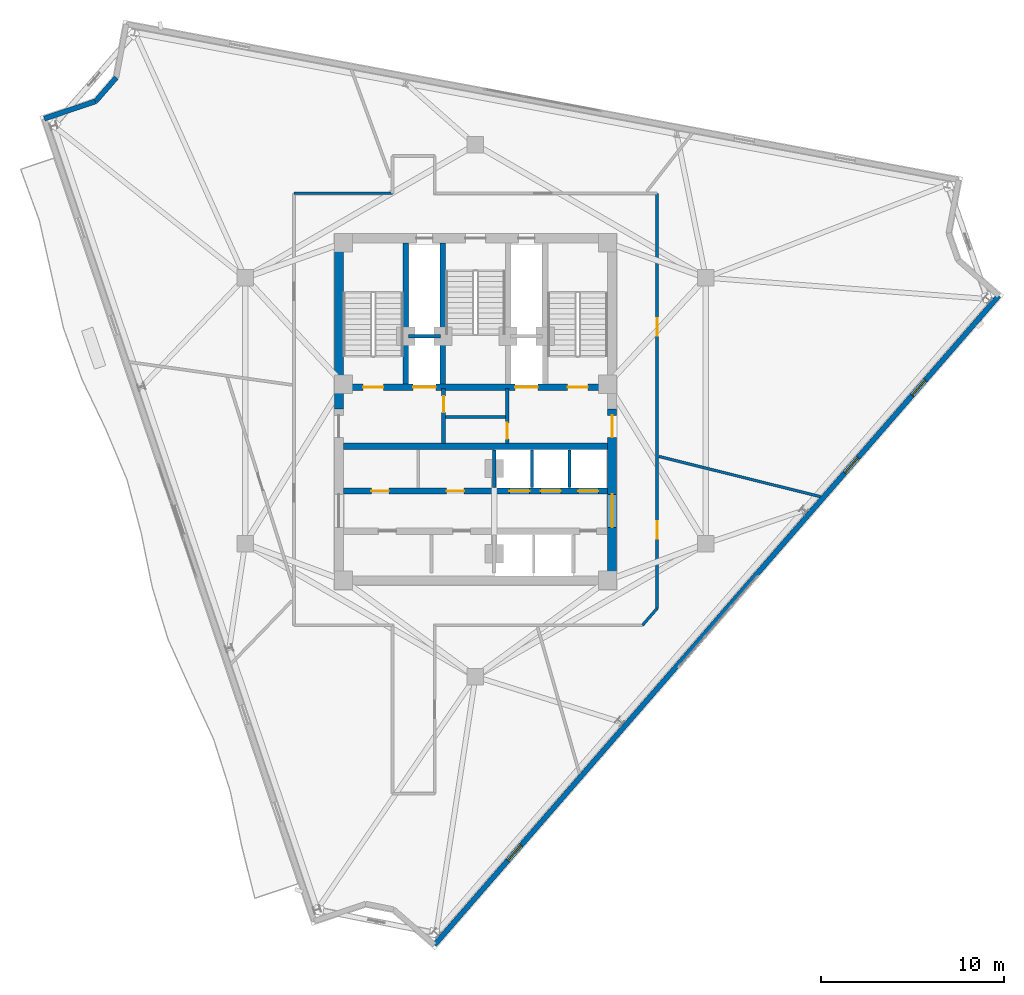
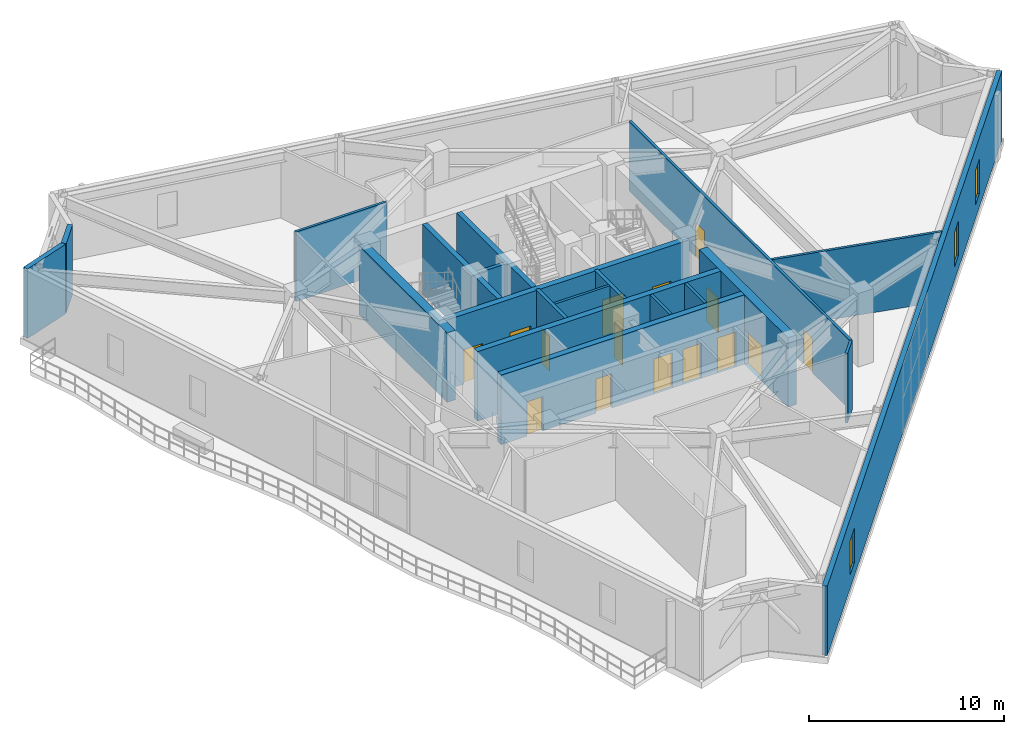
# One storey, part 11 of 15: 21 walls, 15 doors, 3 windows, 18 openings.
"""IFC4 building model written with IfcOpenShell, lengths in metres."""

import ifcopenshell
import ifcopenshell.guid

model = None  # the IFC model being written
_history = None  # IfcOwnerHistory: only IFC2X3 demands one
_inside = {}  # id of a spatial element -> (the spatial element, [elements in it])
_under = {}  # id of a project, library or spatial element -> (it, [spatial elements below it])
_declared = {}  # id of a project -> (the project, [libraries it declares])
_typed = {}  # id of a type object -> (the type object, [elements of that type])
_made_of = {}  # id of a material, layer set ... -> (it, [elements and type objects made of it])


def new_model(schema):
    """Start an empty IFC model of exactly this schema.

    Asked for "IFC4X3", IfcOpenShell would pick the latest addendum, in which some entities
    have other attributes; the version numbers below select the first issue.
    IFC2X3 requires an IfcOwnerHistory on every rooted entity: one is made here for all.
    """
    global model, _history
    if schema == "IFC4X3":
        model = ifcopenshell.file(schema_version=(4, 3, 0, 0))
    else:
        model = ifcopenshell.file(schema=schema)
    _inside.clear()
    _under.clear()
    _declared.clear()
    _typed.clear()
    _made_of.clear()
    _history = None
    if model.schema == "IFC2X3":
        org = make("IfcOrganization", Name="unknown")
        user = make(
            "IfcPersonAndOrganization",
            ThePerson=make("IfcPerson", FamilyName="unknown"),
            TheOrganization=org,
        )
        app = make(
            "IfcApplication",
            ApplicationDeveloper=org,
            Version="unknown",
            ApplicationFullName="unknown",
            ApplicationIdentifier="unknown",
        )
        _history = make(
            "IfcOwnerHistory",
            OwningUser=user,
            OwningApplication=app,
            ChangeAction="ADDED",
            CreationDate=0,
        )
    return model


def make(cls, **values):
    """One entity of the class cls with the attributes given. An attribute that is None is left unset."""
    return model.create_entity(
        cls, **{name: value for name, value in values.items() if value is not None}
    )


def rooted(cls, **values):
    """An entity with a GlobalId (a new one), such as an element, a storey or a relation."""
    return make(cls, GlobalId=ifcopenshell.guid.new(), OwnerHistory=_history, **values)


def si_unit(unit_type, name, prefix=None):
    """IfcSIUnit, for example si_unit("LENGTHUNIT", "METRE", prefix="MILLI")."""
    return make("IfcSIUnit", UnitType=unit_type, Prefix=prefix, Name=name)


def assignment(units):
    """IfcUnitAssignment: the units of a project."""
    return None if units is None else make("IfcUnitAssignment", Units=units)


def point(xyz):
    """IfcCartesianPoint."""
    return None if xyz is None else make("IfcCartesianPoint", Coordinates=xyz)


def direction(xyz):
    """IfcDirection."""
    return None if xyz is None else make("IfcDirection", DirectionRatios=xyz)


def frame(location, z_axis=None, x_axis=None):
    """IfcAxis2Placement3D, a coordinate frame: its origin and axes. An axis left out is left unset."""
    return make(
        "IfcAxis2Placement3D",
        Location=point(location),
        Axis=direction(z_axis),
        RefDirection=direction(x_axis),
    )


def frame_2d(location, x_axis=None):
    """IfcAxis2Placement2D, a coordinate frame in the plane: its origin and x axis."""
    return make(
        "IfcAxis2Placement2D", Location=point(location), RefDirection=direction(x_axis)
    )


def origin():
    """The frame at (0, 0, 0) with its axes left unset."""
    return frame((0.0, 0.0, 0.0))


def place(relative_to, where):
    """IfcLocalPlacement: puts the frame where relative to a parent placement (None: the world)."""
    return make(
        "IfcLocalPlacement", PlacementRelTo=relative_to, RelativePlacement=where
    )


def context(
    kind, dimensions, precision=None, world=None, true_north=None, identifier=None
):
    """IfcGeometricRepresentationContext, for example the 3D "Model" context."""
    return make(
        "IfcGeometricRepresentationContext",
        ContextIdentifier=identifier,
        ContextType=kind,
        CoordinateSpaceDimension=dimensions,
        Precision=precision,
        WorldCoordinateSystem=world,
        TrueNorth=true_north,
    )


def subcontext(parent, identifier, kind, view, scale=None):
    """IfcGeometricRepresentationSubContext, for example "Body" below "Model"."""
    return make(
        "IfcGeometricRepresentationSubContext",
        ContextIdentifier=identifier,
        ContextType=kind,
        ParentContext=parent,
        TargetScale=scale,
        TargetView=view,
    )


def project(units=None, contexts=None):
    """IfcProject with its units and contexts."""
    return rooted(
        "IfcProject",
        Name="project",
        RepresentationContexts=contexts,
        UnitsInContext=assignment(units),
    )


def spatial(cls, under=None, at=None, **own):
    """A site, building, storey or space (cls), placed at a placement, below another one or the project."""
    s = rooted(cls, ObjectPlacement=at, **own)
    if under is not None:
        _under.setdefault(under.id(), (under, []))[1].append(s)
    return s


def profile(cls, at=None, kind="AREA", **sizes):
    """A parametric profile (cls). Its sizes go by their IFC names, for example OverallWidth=200.0."""
    return make(cls, ProfileType=kind, Position=at, **sizes)


def rectangle(**sizes):
    """IfcRectangleProfileDef."""
    return profile("IfcRectangleProfileDef", **sizes)


def extrude(swept, where, along, depth):
    """IfcExtrudedAreaSolid: the profile swept, set in the frame where, extruded along a direction by depth."""
    return make(
        "IfcExtrudedAreaSolid",
        SweptArea=swept,
        Position=where,
        ExtrudedDirection=direction(along),
        Depth=depth,
    )


def shape(context_of_items, identifier, shape_type, items):
    """IfcShapeRepresentation: the items that make up one representation, for example the "Body"."""
    return make(
        "IfcShapeRepresentation",
        ContextOfItems=context_of_items,
        RepresentationIdentifier=identifier,
        RepresentationType=shape_type,
        Items=items,
    )


def material(Name=None, Category=None):
    """IfcMaterial."""
    return make("IfcMaterial", Name=Name, Category=Category)


def layer(
    of_material, thickness, ventilated=None, Name=None, Category=None, Priority=None
):
    """IfcMaterialLayer: one layer of a wall or slab, of a material (None: an air gap)."""
    return make(
        "IfcMaterialLayer",
        Material=of_material,
        LayerThickness=thickness,
        IsVentilated=ventilated,
        Name=Name,
        Category=Category,
        Priority=Priority,
    )


def layer_set(layers, Name=None):
    """IfcMaterialLayerSet."""
    return make("IfcMaterialLayerSet", MaterialLayers=layers, LayerSetName=Name)


def made_of(thing, what):
    """Note that an element or type object is made of a material, layer set ...; save() writes the relation."""
    if what is not None:
        _made_of.setdefault(what.id(), (what, []))[1].append(thing)
    return thing


def type_object(cls, material=None, **own):
    """A type object (cls), such as IfcWallType, which elements share."""
    return made_of(rooted(cls, **own), material)


def element(
    cls,
    number,
    at=None,
    inside=None,
    cuts=None,
    type_object=None,
    material=None,
    context=None,
    identifier="Body",
    shape_type=None,
    held_by="IfcProductDefinitionShape",
    body=None,
    shapes=None,
    **own,
):
    """One element of the class cls, such as IfcWall. Its Tag is "e" and its number.

    at: its placement. inside: the storey or other place that contains it. cuts: it is an
    opening in that element (IfcRelVoidsElement). A single representation is given by context,
    identifier, shape_type and body (its items); several are given by shapes. held_by: the class
    of the entity that holds the representations. save() writes the other relations.
    """
    e = rooted(cls, Tag="e%d" % number, ObjectPlacement=at, **own)
    if body is not None:
        shapes = [shape(context, identifier, shape_type, body)]
    if shapes is not None:
        e.Representation = make(held_by, Representations=shapes)
    if inside is not None:
        _inside.setdefault(inside.id(), (inside, []))[1].append(e)
    if cuts is not None:
        rooted(
            "IfcRelVoidsElement", RelatingBuildingElement=cuts, RelatedOpeningElement=e
        )
    if type_object is not None:
        _typed.setdefault(type_object.id(), (type_object, []))[1].append(e)
    return made_of(e, material)


def fill(opening, filler):
    """IfcRelFillsElement: the door or window that sits in an opening."""
    return rooted(
        "IfcRelFillsElement",
        RelatingOpeningElement=opening,
        RelatedBuildingElement=filler,
    )


def aggregate(whole, parts):
    """IfcRelAggregates: a whole, such as a stair, and the parts it consists of."""
    return rooted("IfcRelAggregates", RelatingObject=whole, RelatedObjects=parts)


def save(model, path):
    """Write the relations noted so far, then the file.

    IfcRelAggregates (storeys below a building ...), IfcRelContainedInSpatialStructure (elements
    in a storey), IfcRelDefinesByType, IfcRelAssociatesMaterial and IfcRelDeclares: one each for
    every whole, place, type object, material and project.
    """
    for whole, parts in _under.values():
        aggregate(whole, parts)
    for where, things in _inside.values():
        rooted(
            "IfcRelContainedInSpatialStructure",
            RelatedElements=things,
            RelatingStructure=where,
        )
    for kind, things in _typed.values():
        rooted("IfcRelDefinesByType", RelatedObjects=things, RelatingType=kind)
    for what, things in _made_of.values():
        rooted("IfcRelAssociatesMaterial", RelatedObjects=things, RelatingMaterial=what)
    for by, libraries in _declared.values():
        rooted("IfcRelDeclares", RelatingContext=by, RelatedDefinitions=libraries)
    model.write(path)


model = new_model("IFC4")

# Units and contexts
model_context = context("Model", 3, precision=1e-05, world=origin(), true_north=direction((0.0, 1.0)))
body_context = subcontext(model_context, "Body", "Model", "MODEL_VIEW")
ifc_project = project(units=[si_unit("LENGTHUNIT", "METRE"), si_unit("AREAUNIT", "SQUARE_METRE"), si_unit("VOLUMEUNIT", "CUBIC_METRE"), si_unit("PLANEANGLEUNIT", "RADIAN"), si_unit("MASSUNIT", "GRAM", prefix="KILO")], contexts=[model_context])

# Site, building, storey
site_placement = place(None, origin())
site = spatial("IfcSite", under=ifc_project, at=site_placement, CompositionType="ELEMENT")
building_placement = place(site_placement, origin())
building = spatial("IfcBuilding", under=site, at=building_placement, Name="Apsidion Concourse Tower", CompositionType="ELEMENT")
storey_placement = place(building_placement, frame((0.0, 0.0, 260.89990234375)))
storey = spatial("IfcBuildingStorey", under=building, at=storey_placement, Name="L61", CompositionType="ELEMENT", Elevation=260.89990234375)

# Wall, openings, windows
ifc_material_1 = material(Name="Precast concrete C40/50", Category="concrete")
ifc_layer_1 = layer(ifc_material_1, 0.280029296875)
ifc_layer_set_1 = layer_set([ifc_layer_1], Name="Precast concrete C40/50")
wall_type_1 = type_object("IfcWallType", Name="WL-EXT-280", PredefinedType="STANDARD", material=ifc_layer_set_1)
wall_1_placement = place(storey_placement, frame((28.531494140625, 6.267578125, 0.0), z_axis=(0.0, 0.0, 1.0), x_axis=(-0.656055748756, -0.754712431674, 0.0)))
wall_1 = element("IfcWall", 1, at=wall_1_placement, inside=storey, type_object=wall_type_1, Name="L61 Precast Stone Facade Wall 05", PredefinedType="STANDARD", context=body_context, shape_type="SweptSolid", body=[
    extrude(rectangle(XDim=46.89697265625, YDim=0.280029296875, at=frame_2d((23.448486328125, 0.0))), origin(), (0.0, 0.0, 1.0), 4.35009765625),
])
opening_1_placement = place(wall_1_placement, frame((6.0986328125, 0.0, 0.85009765625)))
opening_1 = element("IfcOpeningElement", 2, at=opening_1_placement, cuts=wall_1, Name="Opening WN-07", PredefinedType="OPENING", context=body_context, shape_type="SweptSolid", body=[
    extrude(rectangle(XDim=1.10009765625, YDim=2.14990234375, at=frame_2d((0.550048828125, 1.074951171875))), frame((0.0, 0.14990234375, 0.0), z_axis=(0.0, -1.0, 0.0), x_axis=(1.0, 0.0, 0.0)), (0.0, 0.0, 1.0), 0.300048828125),
])
opening_2_placement = place(wall_1_placement, frame((11.698486328125, 0.0, 0.85009765625)))
opening_2 = element("IfcOpeningElement", 3, at=opening_2_placement, cuts=wall_1, Name="Opening WN-07", PredefinedType="OPENING", context=body_context, shape_type="SweptSolid", body=[
    extrude(rectangle(XDim=1.10009765625, YDim=2.14990234375, at=frame_2d((0.550048828125, 1.074951171875))), frame((0.0, 0.14990234375, 0.0), z_axis=(0.0, -1.0, 0.0), x_axis=(1.0, 0.0, 0.0)), (0.0, 0.0, 1.0), 0.300048828125),
])
opening_3_placement = place(wall_1_placement, frame((39.698486328125, 0.0, 0.85009765625)))
opening_3 = element("IfcOpeningElement", 4, at=opening_3_placement, cuts=wall_1, Name="Opening WN-07", PredefinedType="OPENING", context=body_context, shape_type="SweptSolid", body=[
    extrude(rectangle(XDim=1.10009765625, YDim=2.14990234375, at=frame_2d((0.550048828125, 1.074951171875))), frame((0.0, 0.14990234375, 0.0), z_axis=(0.0, -1.0, 0.0), x_axis=(1.0, 0.0, 0.0)), (0.0, 0.0, 1.0), 0.300048828125),
])
ifc_material_2 = material(Name="Insulated laminated low-E glass", Category="glass")
window_type = type_object("IfcWindowType", Name="WN-OFF-1123", PartitioningType="SINGLE_PANEL", PredefinedType="WINDOW", material=ifc_material_2)
window_1_placement = place(opening_1_placement, origin())
window_1 = element("IfcWindow", 5, at=window_1_placement, inside=storey, type_object=window_type, Name="L61 Punched Facade Window 5-01", OverallHeight=2.14990234375, OverallWidth=1.10009765625, PartitioningType="SINGLE_PANEL", PredefinedType="WINDOW", context=body_context, shape_type="SweptSolid", body=[
    extrude(rectangle(XDim=1.10009765625, YDim=2.14990234375, at=frame_2d((0.550048828125, 1.074951171875))), frame((0.0, 0.030029296875, 0.0), z_axis=(0.0, -1.0, 0.0), x_axis=(1.0, 0.0, 0.0)), (0.0, 0.0, 1.0), 0.06005859375),
])
fill(opening_1, window_1)
window_2_placement = place(opening_2_placement, origin())
window_2 = element("IfcWindow", 6, at=window_2_placement, inside=storey, type_object=window_type, Name="L61 Punched Facade Window 5-02", OverallHeight=2.14990234375, OverallWidth=1.10009765625, PartitioningType="SINGLE_PANEL", PredefinedType="WINDOW", context=body_context, shape_type="SweptSolid", body=[
    extrude(rectangle(XDim=1.10009765625, YDim=2.14990234375, at=frame_2d((0.550048828125, 1.074951171875))), frame((0.0, 0.030029296875, 0.0), z_axis=(0.0, -1.0, 0.0), x_axis=(1.0, 0.0, 0.0)), (0.0, 0.0, 1.0), 0.06005859375),
])
fill(opening_2, window_2)
window_3_placement = place(opening_3_placement, origin())
window_3 = element("IfcWindow", 7, at=window_3_placement, inside=storey, type_object=window_type, Name="L61 Punched Facade Window 5-07", OverallHeight=2.14990234375, OverallWidth=1.10009765625, PartitioningType="SINGLE_PANEL", PredefinedType="WINDOW", context=body_context, shape_type="SweptSolid", body=[
    extrude(rectangle(XDim=1.10009765625, YDim=2.14990234375, at=frame_2d((0.550048828125, 1.074951171875))), frame((0.0, 0.030029296875, 0.0), z_axis=(0.0, -1.0, 0.0), x_axis=(1.0, 0.0, 0.0)), (0.0, 0.0, 1.0), 0.06005859375),
])
fill(opening_3, window_3)

# Walls
wall_2_placement = place(storey_placement, frame((-23.511474609375, 15.92431640625, 0.0), z_axis=(0.0, 0.0, 1.0), x_axis=(0.9478040536, 0.31885337693, 0.0)))
element("IfcWall", 8, at=wall_2_placement, inside=storey, type_object=wall_type_1, Name="L61 Precast Stone Facade Wall 10", PredefinedType="STANDARD", context=body_context, shape_type="SweptSolid", body=[
    extrude(rectangle(XDim=2.95556640625, YDim=0.280029296875, at=frame_2d((1.477783203125, 0.0))), origin(), (0.0, 0.0, 1.0), 4.35009765625),
])
wall_3_placement = place(storey_placement, frame((-20.710205078125, 16.86669921875, 0.0), z_axis=(0.0, 0.0, 1.0), x_axis=(0.656062411204, 0.754706640096, 0.0)))
element("IfcWall", 9, at=wall_3_placement, inside=storey, type_object=wall_type_1, Name="L61 Precast Stone Facade Wall 11", PredefinedType="STANDARD", context=body_context, shape_type="SweptSolid", body=[
    extrude(rectangle(XDim=1.715087890625, YDim=0.280029296875, at=frame_2d((0.857421875, 0.0))), origin(), (0.0, 0.0, 1.0), 4.35009765625),
])
ifc_material_3 = material(Name="Gypsum plasterboard partition")
ifc_layer_2 = layer(ifc_material_3, 0.14990234375)
ifc_layer_set_2 = layer_set([ifc_layer_2], Name="Gypsum plasterboard partition")
wall_type_2 = type_object("IfcWallType", Name="WL-INT-PAR-150", PredefinedType="PARTITIONING", material=ifc_layer_set_2)
for number, where, z_axis, x_axis, name in (
    (10, (3.074951171875, -4.179931640625, 0.0), (0.0, 0.0, 1.0), (0.0, 1.0, 0.0), "L61 Interior Partition WL-L61-B3DIV-1"),
    (11, (5.125, -4.179931640625, 0.0), (0.0, 0.0, 1.0), (0.0, 1.0, 0.0), "L61 Interior Partition WL-L61-B3DIV-2"),
):
    element("IfcWall", number, at=place(storey_placement, frame(where, z_axis=z_axis, x_axis=x_axis)), inside=storey, type_object=wall_type_2, Name=name, PredefinedType="PARTITIONING", context=body_context, shape_type="SweptSolid", body=[
        extrude(rectangle(XDim=2.030029296875, YDim=0.14990234375, at=frame_2d((1.01513671875, 0.0))), origin(), (0.0, 0.0, 1.0), 4.35009765625),
    ])
wall_4_placement = place(storey_placement, frame((-1.6298828125, -0.35009765625, 0.0), z_axis=(0.0, 0.0, 1.0), x_axis=(1.0, 0.0, 0.0)))
element("IfcWall", 12, at=wall_4_placement, inside=storey, type_object=wall_type_2, Name="L61 Interior Partition WL-L61-K2H", PredefinedType="PARTITIONING", context=body_context, shape_type="SweptSolid", body=[
    extrude(rectangle(XDim=3.259765625, YDim=0.14990234375, at=frame_2d((1.6298828125, 0.0))), origin(), (0.0, 0.0, 1.0), 4.35009765625),
])
wall_5_placement = place(storey_placement, frame((-9.89990234375, 11.85009765625, 0.0), z_axis=(0.0, 0.0, 1.0), x_axis=(1.0, 0.0, 0.0)))
element("IfcWall", 13, at=wall_5_placement, inside=storey, type_object=wall_type_2, Name="L61 Interior Partition WL-L61-CORR-03", PredefinedType="PARTITIONING", context=body_context, shape_type="SweptSolid", body=[
    extrude(rectangle(XDim=5.369873046875, YDim=0.14990234375, at=frame_2d((2.68505859375, 0.0))), origin(), (0.0, 0.0, 1.0), 4.35009765625),
])

# Wall, openings, doors
wall_6_placement = place(storey_placement, frame((9.89990234375, 11.85009765625, 0.0), z_axis=(0.0, 0.0, 1.0), x_axis=(0.0, -1.0, 0.0)))
wall_6 = element("IfcWall", 14, at=wall_6_placement, inside=storey, type_object=wall_type_2, Name="L61 Interior Partition WL-L61-CORR-08", PredefinedType="PARTITIONING", context=body_context, shape_type="SweptSolid", body=[
    extrude(rectangle(XDim=22.633544921875, YDim=0.14990234375, at=frame_2d((11.31689453125, 0.0))), origin(), (0.0, 0.0, 1.0), 4.35009765625),
])
opening_4_placement = place(wall_6_placement, frame((17.88525390625, 0.0, 0.0)))
opening_4 = element("IfcOpeningElement", 15, at=opening_4_placement, cuts=wall_6, Name="Opening D-01L", PredefinedType="OPENING", context=body_context, shape_type="SweptSolid", body=[
    extrude(rectangle(XDim=0.949951171875, YDim=2.14990234375, at=frame_2d((0.47509765625, 1.074951171875))), frame((0.0, 0.0849609375, 0.0), z_axis=(0.0, -1.0, 0.0), x_axis=(1.0, 0.0, 0.0)), (0.0, 0.0, 1.0), 0.169921875),
])
opening_5_placement = place(wall_6_placement, frame((6.81982421875, 0.0, 0.0)))
opening_5 = element("IfcOpeningElement", 16, at=opening_5_placement, cuts=wall_6, Name="Opening D-01R", PredefinedType="OPENING", context=body_context, shape_type="SweptSolid", body=[
    extrude(rectangle(XDim=0.949951171875, YDim=2.14990234375, at=frame_2d((0.47509765625, 1.074951171875))), frame((0.0, 0.0849609375, 0.0), z_axis=(0.0, -1.0, 0.0), x_axis=(1.0, 0.0, 0.0)), (0.0, 0.0, 1.0), 0.169921875),
])
ifc_material_4 = material(Name="Brushed stainless steel 316", Category="steel")
door_type_1 = type_object("IfcDoorType", Name="DR-INT-D01L", OperationType="SINGLE_SWING_LEFT", PredefinedType="DOOR", material=ifc_material_4)
door_1_placement = place(opening_4_placement, origin())
door_1 = element("IfcDoor", 17, at=door_1_placement, inside=storey, type_object=door_type_1, Name="L61 Corridor Entry Door 03", OperationType="SINGLE_SWING_LEFT", OverallHeight=2.14990234375, OverallWidth=0.949951171875, PredefinedType="DOOR", context=body_context, shape_type="SweptSolid", body=[
    extrude(rectangle(XDim=0.949951171875, YDim=2.14990234375, at=frame_2d((0.47509765625, 1.074951171875))), frame((0.0, 0.02490234375, 0.0), z_axis=(0.0, -1.0, 0.0), x_axis=(1.0, 0.0, 0.0)), (0.0, 0.0, 1.0), 0.050048828125),
])
fill(opening_4, door_1)
door_type_2 = type_object("IfcDoorType", Name="DR-INT-D01R", OperationType="SINGLE_SWING_RIGHT", PredefinedType="DOOR", material=ifc_material_4)
door_2_placement = place(opening_5_placement, origin())
door_2 = element("IfcDoor", 18, at=door_2_placement, inside=storey, type_object=door_type_2, Name="L61 Corridor Entry Door 04", OperationType="SINGLE_SWING_RIGHT", OverallHeight=2.14990234375, OverallWidth=0.949951171875, PredefinedType="DOOR", context=body_context, shape_type="SweptSolid", body=[
    extrude(rectangle(XDim=0.949951171875, YDim=2.14990234375, at=frame_2d((0.47509765625, 1.074951171875))), frame((0.0, 0.02490234375, 0.0), z_axis=(0.0, -1.0, 0.0), x_axis=(1.0, 0.0, 0.0)), (0.0, 0.0, 1.0), 0.050048828125),
])
fill(opening_5, door_2)

# Walls
wall_7_placement = place(storey_placement, frame((9.89990234375, -10.783447265625, 0.0), z_axis=(0.0, 0.0, 1.0), x_axis=(-0.656024397367, -0.754739683639, 0.0)))
element("IfcWall", 19, at=wall_7_placement, inside=storey, type_object=wall_type_2, Name="L61 Interior Partition WL-L61-CORR-09", PredefinedType="PARTITIONING", context=body_context, shape_type="SweptSolid", body=[
    extrude(rectangle(XDim=1.21435546875, YDim=0.14990234375, at=frame_2d((0.607177734375, 0.0))), origin(), (0.0, 0.0, 1.0), 4.35009765625),
])
wall_8_placement = place(storey_placement, frame((10.0048828125, -2.494384765625, 0.0), z_axis=(0.0, 0.0, 1.0), x_axis=(0.970294360483, -0.24192737343, 0.0)))
element("IfcWall", 20, at=wall_8_placement, inside=storey, type_object=wall_type_2, Name="L61 Interior Partition WL-L61-RAD-06-1", PredefinedType="PARTITIONING", context=body_context, shape_type="SweptSolid", body=[
    extrude(rectangle(XDim=9.067138671875, YDim=0.14990234375, at=frame_2d((4.53369140625, 0.0))), origin(), (0.0, 0.0, 1.0), 4.35009765625),
])
ifc_layer_3 = layer(ifc_material_3, 0.179931640625)
ifc_layer_set_3 = layer_set([ifc_layer_3], Name="Gypsum plasterboard partition")
wall_type_3 = type_object("IfcWallType", Name="WL-INT-PAR-180", PredefinedType="PARTITIONING", material=ifc_layer_set_3)
wall_9_placement = place(storey_placement, frame((1.02490234375, -4.179931640625, 0.0), z_axis=(0.0, 0.0, 1.0), x_axis=(0.0, 1.0, 0.0)))
element("IfcWall", 21, at=wall_9_placement, inside=storey, type_object=wall_type_3, Name="L61 Interior Partition WL-L61-B1END", PredefinedType="PARTITIONING", context=body_context, shape_type="SweptSolid", body=[
    extrude(rectangle(XDim=2.030029296875, YDim=0.179931640625, at=frame_2d((1.01513671875, 0.0))), origin(), (0.0, 0.0, 1.0), 3.398193359375),
])
ifc_layer_4 = layer(ifc_material_3, 0.199951171875)
ifc_layer_set_4 = layer_set([ifc_layer_4], Name="Gypsum plasterboard partition")
wall_type_4 = type_object("IfcWallType", Name="WL-INT-PAR-200", PredefinedType="PARTITIONING", material=ifc_layer_set_4)
wall_10_placement = place(storey_placement, frame((-3.64990234375, 4.050048828125, 0.0), z_axis=(0.0, 0.0, 1.0), x_axis=(1.0, 0.0, 0.0)))
element("IfcWall", 22, at=wall_10_placement, inside=storey, type_object=wall_type_4, Name="L61 Interior Partition WL-L61-FF1-N", PredefinedType="PARTITIONING", context=body_context, shape_type="SweptSolid", body=[
    extrude(rectangle(XDim=1.72998046875, YDim=0.199951171875, at=frame_2d((0.864990234375, 0.0))), origin(), (0.0, 0.0, 1.0), 4.35009765625),
])

# Wall, opening, door
wall_11_placement = place(storey_placement, frame((-1.739990234375, -1.780029296875, 0.0), z_axis=(0.0, 0.0, 1.0), x_axis=(0.0, 1.0, 0.0)))
wall_11 = element("IfcWall", 23, at=wall_11_placement, inside=storey, type_object=wall_type_4, Name="L61 Interior Partition WL-L61-FF1-E", PredefinedType="PARTITIONING", context=body_context, shape_type="SweptSolid", body=[
    extrude(rectangle(XDim=2.97998046875, YDim=0.199951171875, at=frame_2d((1.489990234375, 0.0))), origin(), (0.0, 0.0, 1.0), 4.35009765625),
])
opening_6_placement = place(wall_11_placement, frame((1.68994140625, 0.0, 0.0)))
opening_6 = element("IfcOpeningElement", 24, at=opening_6_placement, cuts=wall_11, Name="Opening D-05L", PredefinedType="OPENING", context=body_context, shape_type="SweptSolid", body=[
    extrude(rectangle(XDim=0.8798828125, YDim=2.14990234375, at=frame_2d((0.43994140625, 1.074951171875))), frame((0.0, 0.10986328125, 0.0), z_axis=(0.0, -1.0, 0.0), x_axis=(1.0, 0.0, 0.0)), (0.0, 0.0, 1.0), 0.219970703125),
])
door_type_3 = type_object("IfcDoorType", Name="DR-INT-D05L", OperationType="SINGLE_SWING_LEFT", PredefinedType="DOOR", material=ifc_material_4)
door_3_placement = place(opening_6_placement, origin())
door_3 = element("IfcDoor", 25, at=door_3_placement, inside=storey, type_object=door_type_3, Name="L61 Core Staff WC Door", OperationType="SINGLE_SWING_LEFT", OverallHeight=2.14990234375, OverallWidth=0.8798828125, PredefinedType="DOOR", context=body_context, shape_type="SweptSolid", body=[
    extrude(rectangle(XDim=0.8798828125, YDim=2.14990234375, at=frame_2d((0.43994140625, 1.074951171875))), frame((0.0, 0.02490234375, 0.0), z_axis=(0.0, -1.0, 0.0), x_axis=(1.0, 0.0, 0.0)), (0.0, 0.0, 1.0), 0.050048828125),
])
fill(opening_6, door_3)

wall_12_placement = place(storey_placement, frame((1.739990234375, -1.780029296875, 0.0), z_axis=(0.0, 0.0, 1.0), x_axis=(0.0, 1.0, 0.0)))
wall_12 = element("IfcWall", 26, at=wall_12_placement, inside=storey, type_object=wall_type_4, Name="L61 Interior Partition WL-L61-FF2-W", PredefinedType="PARTITIONING", context=body_context, shape_type="SweptSolid", body=[
    extrude(rectangle(XDim=2.97998046875, YDim=0.199951171875, at=frame_2d((1.489990234375, 0.0))), origin(), (0.0, 0.0, 1.0), 4.35009765625),
])
opening_7_placement = place(wall_12_placement, frame((0.239990234375, 0.0, 0.0)))
opening_7 = element("IfcOpeningElement", 27, at=opening_7_placement, cuts=wall_12, Name="Opening D-05R", PredefinedType="OPENING", context=body_context, shape_type="SweptSolid", body=[
    extrude(rectangle(XDim=0.8798828125, YDim=2.14990234375, at=frame_2d((0.43994140625, 1.074951171875))), frame((0.0, 0.10986328125, 0.0), z_axis=(0.0, -1.0, 0.0), x_axis=(1.0, 0.0, 0.0)), (0.0, 0.0, 1.0), 0.219970703125),
])
door_type_4 = type_object("IfcDoorType", Name="DR-INT-D05R", OperationType="SINGLE_SWING_RIGHT", PredefinedType="DOOR", material=ifc_material_4)
door_4_placement = place(opening_7_placement, origin())
door_4 = element("IfcDoor", 28, at=door_4_placement, inside=storey, type_object=door_type_4, Name="L61 Core Supply Store Door", OperationType="SINGLE_SWING_RIGHT", OverallHeight=2.14990234375, OverallWidth=0.8798828125, PredefinedType="DOOR", context=body_context, shape_type="SweptSolid", body=[
    extrude(rectangle(XDim=0.8798828125, YDim=2.14990234375, at=frame_2d((0.43994140625, 1.074951171875))), frame((0.0, 0.02490234375, 0.0), z_axis=(0.0, -1.0, 0.0), x_axis=(1.0, 0.0, 0.0)), (0.0, 0.0, 1.0), 0.050048828125),
])
fill(opening_7, door_4)

# Walls
ifc_material_5 = material(Name="Concrete C50/60", Category="concrete")
ifc_layer_5 = layer(ifc_material_5, 0.300048828125)
ifc_layer_set_5 = layer_set([ifc_layer_5], Name="Concrete C50/60")
wall_type_5 = type_object("IfcWallType", Name="WL-SH-300", PredefinedType="SHEAR", material=ifc_layer_set_5)
for number, where, z_axis, x_axis, name in (
    (29, (-3.800048828125, 1.449951171875, 0.0), (0.0, 0.0, 1.0), (0.0, 1.0, 0.0), "L61 Central Core Shear Wall V1"),
    (30, (-1.77490234375, 1.449951171875, 0.0), (0.0, 0.0, 1.0), (0.0, 1.0, 0.0), "L61 Central Core Shear Wall V2"),
):
    element("IfcWall", number, at=place(storey_placement, frame(where, z_axis=z_axis, x_axis=x_axis)), inside=storey, type_object=wall_type_5, Name=name, PredefinedType="SHEAR", context=body_context, shape_type="SweptSolid", body=[
        extrude(rectangle(XDim=7.699951171875, YDim=0.300048828125, at=frame_2d((3.85009765625, 0.0))), origin(), (0.0, 0.0, 1.0), 4.35009765625),
    ])

# Wall, openings, doors
ifc_layer_6 = layer(ifc_material_5, 0.35009765625)
ifc_layer_set_6 = layer_set([ifc_layer_6], Name="Concrete C50/60")
wall_type_6 = type_object("IfcWallType", Name="WL-SH-350", PredefinedType="SHEAR", material=ifc_layer_set_6)
wall_13_placement = place(storey_placement, frame((-7.199951171875, 1.27490234375, 0.0), z_axis=(0.0, 0.0, 1.0), x_axis=(1.0, 0.0, 0.0)))
wall_13 = element("IfcWall", 31, at=wall_13_placement, inside=storey, type_object=wall_type_6, Name="L61 Central Core Shear Wall M1", PredefinedType="SHEAR", context=body_context, shape_type="SweptSolid", body=[
    extrude(rectangle(XDim=14.39990234375, YDim=0.35009765625, at=frame_2d((7.199951171875, 0.0))), origin(), (0.0, 0.0, 1.0), 4.35009765625),
])
opening_8_placement = place(wall_13_placement, frame((3.794921875, 0.0, 0.0)))
opening_8 = element("IfcOpeningElement", 32, at=opening_8_placement, cuts=wall_13, Name="Opening LD-FF", PredefinedType="OPENING", context=body_context, shape_type="SweptSolid", body=[
    extrude(rectangle(XDim=1.25, YDim=2.25, at=frame_2d((0.625, 1.125))), frame((0.0, 0.18505859375, 0.0), z_axis=(0.0, -1.0, 0.0), x_axis=(1.0, 0.0, 0.0)), (0.0, 0.0, 1.0), 0.3701171875),
])
opening_9_placement = place(wall_13_placement, frame((9.35498046875, 0.0, 0.0)))
opening_9 = element("IfcOpeningElement", 33, at=opening_9_placement, cuts=wall_13, Name="Opening LD-FF", PredefinedType="OPENING", context=body_context, shape_type="SweptSolid", body=[
    extrude(rectangle(XDim=1.25, YDim=2.25, at=frame_2d((0.625, 1.125))), frame((0.0, 0.18505859375, 0.0), z_axis=(0.0, -1.0, 0.0), x_axis=(1.0, 0.0, 0.0)), (0.0, 0.0, 1.0), 0.3701171875),
])
opening_10_placement = place(wall_13_placement, frame((1.074951171875, 0.0, 0.0)))
opening_10 = element("IfcOpeningElement", 34, at=opening_10_placement, cuts=wall_13, Name="Opening D-STL", PredefinedType="OPENING", context=body_context, shape_type="SweptSolid", body=[
    extrude(rectangle(XDim=1.10009765625, YDim=2.14990234375, at=frame_2d((0.550048828125, 1.074951171875))), frame((0.0, 0.18505859375, 0.0), z_axis=(0.0, -1.0, 0.0), x_axis=(1.0, 0.0, 0.0)), (0.0, 0.0, 1.0), 0.3701171875),
])
opening_11_placement = place(wall_13_placement, frame((12.22509765625, 0.0, 0.0)))
opening_11 = element("IfcOpeningElement", 35, at=opening_11_placement, cuts=wall_13, Name="Opening D-STR", PredefinedType="OPENING", context=body_context, shape_type="SweptSolid", body=[
    extrude(rectangle(XDim=1.10009765625, YDim=2.14990234375, at=frame_2d((0.550048828125, 1.074951171875))), frame((0.0, 0.18505859375, 0.0), z_axis=(0.0, -1.0, 0.0), x_axis=(1.0, 0.0, 0.0)), (0.0, 0.0, 1.0), 0.3701171875),
])
door_type_5 = type_object("IfcDoorType", Name="DR-INT-ST1L", OperationType="SINGLE_SWING_LEFT", PredefinedType="DOOR", material=ifc_material_4)
door_5_placement = place(opening_10_placement, origin())
door_5 = element("IfcDoor", 36, at=door_5_placement, inside=storey, type_object=door_type_5, Name="L61 Core Exit Stair ST1 Door", OperationType="SINGLE_SWING_LEFT", OverallHeight=2.14990234375, OverallWidth=1.10009765625, PredefinedType="DOOR", context=body_context, shape_type="SweptSolid", body=[
    extrude(rectangle(XDim=1.10009765625, YDim=2.14990234375, at=frame_2d((0.550048828125, 1.074951171875))), frame((0.0, 0.02490234375, 0.0), z_axis=(0.0, -1.0, 0.0), x_axis=(1.0, 0.0, 0.0)), (0.0, 0.0, 1.0), 0.050048828125),
])
fill(opening_10, door_5)
door_type_6 = type_object("IfcDoorType", Name="DR-INT-ST1R", OperationType="SINGLE_SWING_RIGHT", PredefinedType="DOOR", material=ifc_material_4)
door_6_placement = place(opening_11_placement, origin())
door_6 = element("IfcDoor", 37, at=door_6_placement, inside=storey, type_object=door_type_6, Name="L61 Core Exit Stair ST2 Door", OperationType="SINGLE_SWING_RIGHT", OverallHeight=2.14990234375, OverallWidth=1.10009765625, PredefinedType="DOOR", context=body_context, shape_type="SweptSolid", body=[
    extrude(rectangle(XDim=1.10009765625, YDim=2.14990234375, at=frame_2d((0.550048828125, 1.074951171875))), frame((0.0, 0.02490234375, 0.0), z_axis=(0.0, -1.0, 0.0), x_axis=(1.0, 0.0, 0.0)), (0.0, 0.0, 1.0), 0.050048828125),
])
fill(opening_11, door_6)
door_type_7 = type_object("IfcDoorType", Name="DR-LD-FSAE", OperationType="DOUBLE_DOOR_SLIDING", PredefinedType="DOOR", material=ifc_material_4)
door_7_placement = place(opening_8_placement, origin())
door_7 = element("IfcDoor", 38, at=door_7_placement, inside=storey, type_object=door_type_7, Name="L61 Lift Landing Door FF1", OperationType="DOUBLE_DOOR_SLIDING", OverallHeight=2.25, OverallWidth=1.25, PredefinedType="DOOR", context=body_context, shape_type="SweptSolid", body=[
    extrude(rectangle(XDim=1.25, YDim=2.25, at=frame_2d((0.625, 1.125))), frame((0.0, 0.02490234375, 0.0), z_axis=(0.0, -1.0, 0.0), x_axis=(1.0, 0.0, 0.0)), (0.0, 0.0, 1.0), 0.050048828125),
])
fill(opening_8, door_7)
door_8_placement = place(opening_9_placement, origin())
door_8 = element("IfcDoor", 39, at=door_8_placement, inside=storey, type_object=door_type_7, Name="L61 Lift Landing Door FF2", OperationType="DOUBLE_DOOR_SLIDING", OverallHeight=2.25, OverallWidth=1.25, PredefinedType="DOOR", context=body_context, shape_type="SweptSolid", body=[
    extrude(rectangle(XDim=1.25, YDim=2.25, at=frame_2d((0.625, 1.125))), frame((0.0, 0.02490234375, 0.0), z_axis=(0.0, -1.0, 0.0), x_axis=(1.0, 0.0, 0.0)), (0.0, 0.0, 1.0), 0.050048828125),
])
fill(opening_9, door_8)

# Wall
wall_14_placement = place(storey_placement, frame((-7.199951171875, -1.949951171875, 0.0), z_axis=(0.0, 0.0, 1.0), x_axis=(1.0, 0.0, 0.0)))
element("IfcWall", 40, at=wall_14_placement, inside=storey, type_object=wall_type_6, Name="L61 Central Core Shear Wall M2", PredefinedType="SHEAR", context=body_context, shape_type="SweptSolid", body=[
    extrude(rectangle(XDim=14.39990234375, YDim=0.35009765625, at=frame_2d((7.199951171875, 0.0))), origin(), (0.0, 0.0, 1.0), 4.35009765625),
])

# Wall, openings, doors
wall_15_placement = place(storey_placement, frame((-7.199951171875, -4.3798828125, 0.0), z_axis=(0.0, 0.0, 1.0), x_axis=(1.0, 0.0, 0.0)))
wall_15 = element("IfcWall", 41, at=wall_15_placement, inside=storey, type_object=wall_type_6, Name="L61 Central Core Shear Wall LA", PredefinedType="SHEAR", context=body_context, shape_type="SweptSolid", body=[
    extrude(rectangle(XDim=14.39990234375, YDim=0.35009765625, at=frame_2d((7.199951171875, 0.0))), origin(), (0.0, 0.0, 1.0), 4.35009765625),
])
opening_12_placement = place(wall_15_placement, frame((9.050048828125, 0.0, 0.0)))
opening_12 = element("IfcOpeningElement", 42, at=opening_12_placement, cuts=wall_15, Name="Opening LD-P1", PredefinedType="OPENING", context=body_context, shape_type="SweptSolid", body=[
    extrude(rectangle(XDim=1.10009765625, YDim=2.199951171875, at=frame_2d((0.550048828125, 1.10009765625))), frame((0.0, 0.18505859375, 0.0), z_axis=(0.0, -1.0, 0.0), x_axis=(1.0, 0.0, 0.0)), (0.0, 0.0, 1.0), 0.3701171875),
])
opening_13_placement = place(wall_15_placement, frame((10.75, 0.0, 0.0)))
opening_13 = element("IfcOpeningElement", 43, at=opening_13_placement, cuts=wall_15, Name="Opening LD-P1", PredefinedType="OPENING", context=body_context, shape_type="SweptSolid", body=[
    extrude(rectangle(XDim=1.10009765625, YDim=2.199951171875, at=frame_2d((0.550048828125, 1.10009765625))), frame((0.0, 0.18505859375, 0.0), z_axis=(0.0, -1.0, 0.0), x_axis=(1.0, 0.0, 0.0)), (0.0, 0.0, 1.0), 0.3701171875),
])
opening_14_placement = place(wall_15_placement, frame((12.800048828125, 0.0, 0.0)))
opening_14 = element("IfcOpeningElement", 44, at=opening_14_placement, cuts=wall_15, Name="Opening LD-P1", PredefinedType="OPENING", context=body_context, shape_type="SweptSolid", body=[
    extrude(rectangle(XDim=1.10009765625, YDim=2.199951171875, at=frame_2d((0.550048828125, 1.10009765625))), frame((0.0, 0.18505859375, 0.0), z_axis=(0.0, -1.0, 0.0), x_axis=(1.0, 0.0, 0.0)), (0.0, 0.0, 1.0), 0.3701171875),
])
opening_15_placement = place(wall_15_placement, frame((1.52490234375, 0.0, 0.0)))
opening_15 = element("IfcOpeningElement", 45, at=opening_15_placement, cuts=wall_15, Name="Opening D-04L", PredefinedType="OPENING", context=body_context, shape_type="SweptSolid", body=[
    extrude(rectangle(XDim=0.949951171875, YDim=2.14990234375, at=frame_2d((0.47509765625, 1.074951171875))), frame((0.0, 0.18505859375, 0.0), z_axis=(0.0, -1.0, 0.0), x_axis=(1.0, 0.0, 0.0)), (0.0, 0.0, 1.0), 0.3701171875),
])
opening_16_placement = place(wall_15_placement, frame((5.625, 0.0, 0.0)))
opening_16 = element("IfcOpeningElement", 46, at=opening_16_placement, cuts=wall_15, Name="Opening D-04R", PredefinedType="OPENING", context=body_context, shape_type="SweptSolid", body=[
    extrude(rectangle(XDim=0.949951171875, YDim=2.14990234375, at=frame_2d((0.47509765625, 1.074951171875))), frame((0.0, 0.18505859375, 0.0), z_axis=(0.0, -1.0, 0.0), x_axis=(1.0, 0.0, 0.0)), (0.0, 0.0, 1.0), 0.3701171875),
])
door_type_8 = type_object("IfcDoorType", Name="DR-INT-D04L", OperationType="SINGLE_SWING_LEFT", PredefinedType="DOOR", material=ifc_material_4)
door_9_placement = place(opening_15_placement, origin())
door_9 = element("IfcDoor", 47, at=door_9_placement, inside=storey, type_object=door_type_8, Name="L61 Tenant Archive Room West Door", OperationType="SINGLE_SWING_LEFT", OverallHeight=2.14990234375, OverallWidth=0.949951171875, PredefinedType="DOOR", context=body_context, shape_type="SweptSolid", body=[
    extrude(rectangle(XDim=0.949951171875, YDim=2.14990234375, at=frame_2d((0.47509765625, 1.074951171875))), frame((0.0, 0.02490234375, 0.0), z_axis=(0.0, -1.0, 0.0), x_axis=(1.0, 0.0, 0.0)), (0.0, 0.0, 1.0), 0.050048828125),
])
fill(opening_15, door_9)
door_type_9 = type_object("IfcDoorType", Name="DR-INT-D04R", OperationType="SINGLE_SWING_RIGHT", PredefinedType="DOOR", material=ifc_material_4)
door_10_placement = place(opening_16_placement, origin())
door_10 = element("IfcDoor", 48, at=door_10_placement, inside=storey, type_object=door_type_9, Name="L61 Core Print and Copy Room Door", OperationType="SINGLE_SWING_RIGHT", OverallHeight=2.14990234375, OverallWidth=0.949951171875, PredefinedType="DOOR", context=body_context, shape_type="SweptSolid", body=[
    extrude(rectangle(XDim=0.949951171875, YDim=2.14990234375, at=frame_2d((0.47509765625, 1.074951171875))), frame((0.0, 0.02490234375, 0.0), z_axis=(0.0, -1.0, 0.0), x_axis=(1.0, 0.0, 0.0)), (0.0, 0.0, 1.0), 0.050048828125),
])
fill(opening_16, door_10)
door_type_10 = type_object("IfcDoorType", Name="DR-LD-PASS", OperationType="DOUBLE_DOOR_SLIDING", PredefinedType="DOOR", material=ifc_material_4)
door_11_placement = place(opening_12_placement, origin())
door_11 = element("IfcDoor", 49, at=door_11_placement, inside=storey, type_object=door_type_10, Name="L61 Lift Landing Door P9", OperationType="DOUBLE_DOOR_SLIDING", OverallHeight=2.199951171875, OverallWidth=1.10009765625, PredefinedType="DOOR", context=body_context, shape_type="SweptSolid", body=[
    extrude(rectangle(XDim=1.10009765625, YDim=2.199951171875, at=frame_2d((0.550048828125, 1.10009765625))), frame((0.0, 0.02490234375, 0.0), z_axis=(0.0, -1.0, 0.0), x_axis=(1.0, 0.0, 0.0)), (0.0, 0.0, 1.0), 0.050048828125),
])
fill(opening_12, door_11)
door_12_placement = place(opening_13_placement, origin())
door_12 = element("IfcDoor", 50, at=door_12_placement, inside=storey, type_object=door_type_10, Name="L61 Lift Landing Door P10", OperationType="DOUBLE_DOOR_SLIDING", OverallHeight=2.199951171875, OverallWidth=1.10009765625, PredefinedType="DOOR", context=body_context, shape_type="SweptSolid", body=[
    extrude(rectangle(XDim=1.10009765625, YDim=2.199951171875, at=frame_2d((0.550048828125, 1.10009765625))), frame((0.0, 0.02490234375, 0.0), z_axis=(0.0, -1.0, 0.0), x_axis=(1.0, 0.0, 0.0)), (0.0, 0.0, 1.0), 0.050048828125),
])
fill(opening_13, door_12)
door_13_placement = place(opening_14_placement, origin())
door_13 = element("IfcDoor", 51, at=door_13_placement, inside=storey, type_object=door_type_10, Name="L61 Lift Landing Door P11", OperationType="DOUBLE_DOOR_SLIDING", OverallHeight=2.199951171875, OverallWidth=1.10009765625, PredefinedType="DOOR", context=body_context, shape_type="SweptSolid", body=[
    extrude(rectangle(XDim=1.10009765625, YDim=2.199951171875, at=frame_2d((0.550048828125, 1.10009765625))), frame((0.0, 0.02490234375, 0.0), z_axis=(0.0, -1.0, 0.0), x_axis=(1.0, 0.0, 0.0)), (0.0, 0.0, 1.0), 0.050048828125),
])
fill(opening_14, door_13)

# Wall
ifc_layer_7 = layer(ifc_material_5, 0.5)
ifc_layer_set_7 = layer_set([ifc_layer_7], Name="Concrete C50/60")
wall_type_7 = type_object("IfcWallType", Name="WL-SH-500", PredefinedType="SHEAR", material=ifc_layer_set_7)
wall_16_placement = place(storey_placement, frame((-7.449951171875, 0.10009765625, 0.0), z_axis=(0.0, 0.0, 1.0), x_axis=(0.0, 1.0, 0.0)))
element("IfcWall", 52, at=wall_16_placement, inside=storey, type_object=wall_type_7, Name="L61 Central Core Shear Wall WN", PredefinedType="SHEAR", context=body_context, shape_type="SweptSolid", body=[
    extrude(rectangle(XDim=9.0498046875, YDim=0.5, at=frame_2d((4.52490234375, 0.0))), origin(), (0.0, 0.0, 1.0), 4.35009765625),
])

# Wall, openings, doors
wall_17_placement = place(storey_placement, frame((7.449951171875, -9.0, 0.0), z_axis=(0.0, 0.0, 1.0), x_axis=(0.0, 1.0, 0.0)))
wall_17 = element("IfcWall", 53, at=wall_17_placement, inside=storey, type_object=wall_type_7, Name="L61 Central Core Shear Wall ES", PredefinedType="SHEAR", context=body_context, shape_type="SweptSolid", body=[
    extrude(rectangle(XDim=9.10009765625, YDim=0.5, at=frame_2d((4.550048828125, 0.0))), origin(), (0.0, 0.0, 1.0), 4.35009765625),
])
opening_17_placement = place(wall_17_placement, frame((2.639892578125, 0.0, 0.0)))
opening_17 = element("IfcOpeningElement", 54, at=opening_17_placement, cuts=wall_17, Name="Opening D-06D", PredefinedType="OPENING", context=body_context, shape_type="SweptSolid", body=[
    extrude(rectangle(XDim=1.800048828125, YDim=2.199951171875, at=frame_2d((0.89990234375, 1.10009765625))), frame((0.0, 0.260009765625, 0.0), z_axis=(0.0, -1.0, 0.0), x_axis=(1.0, 0.0, 0.0)), (0.0, 0.0, 1.0), 0.52001953125),
])
opening_18_placement = place(wall_17_placement, frame((7.550048828125, 0.0, 0.0)))
opening_18 = element("IfcOpeningElement", 55, at=opening_18_placement, cuts=wall_17, Name="Opening D-FFR", PredefinedType="OPENING", context=body_context, shape_type="SweptSolid", body=[
    extrude(rectangle(XDim=1.199951171875, YDim=2.14990234375, at=frame_2d((0.60009765625, 1.074951171875))), frame((0.0, 0.260009765625, 0.0), z_axis=(0.0, -1.0, 0.0), x_axis=(1.0, 0.0, 0.0)), (0.0, 0.0, 1.0), 0.52001953125),
])
door_type_11 = type_object("IfcDoorType", Name="DR-INT-D06D", OperationType="DOUBLE_DOOR_SINGLE_SWING", PredefinedType="DOOR", material=ifc_material_4)
door_14_placement = place(opening_17_placement, origin())
door_14 = element("IfcDoor", 56, at=door_14_placement, inside=storey, type_object=door_type_11, Name="L61 Passenger Lift Lobby ES Portal Door", OperationType="DOUBLE_DOOR_SINGLE_SWING", OverallHeight=2.199951171875, OverallWidth=1.800048828125, PredefinedType="DOOR", context=body_context, shape_type="SweptSolid", body=[
    extrude(rectangle(XDim=1.800048828125, YDim=2.199951171875, at=frame_2d((0.89990234375, 1.10009765625))), frame((0.0, 0.02490234375, 0.0), z_axis=(0.0, -1.0, 0.0), x_axis=(1.0, 0.0, 0.0)), (0.0, 0.0, 1.0), 0.050048828125),
])
fill(opening_17, door_14)
door_type_12 = type_object("IfcDoorType", Name="DR-INT-FFR", OperationType="SINGLE_SWING_RIGHT", PredefinedType="DOOR", material=ifc_material_4)
door_15_placement = place(opening_18_placement, origin())
door_15 = element("IfcDoor", 57, at=door_15_placement, inside=storey, type_object=door_type_12, Name="L61 Firefighting Lift Lobby FF2 Door", OperationType="SINGLE_SWING_RIGHT", OverallHeight=2.14990234375, OverallWidth=1.199951171875, PredefinedType="DOOR", context=body_context, shape_type="SweptSolid", body=[
    extrude(rectangle(XDim=1.199951171875, YDim=2.14990234375, at=frame_2d((0.60009765625, 1.074951171875))), frame((0.0, 0.02490234375, 0.0), z_axis=(0.0, -1.0, 0.0), x_axis=(1.0, 0.0, 0.0)), (0.0, 0.0, 1.0), 0.050048828125),
])
fill(opening_18, door_15)

save(model, "model.ifc")
